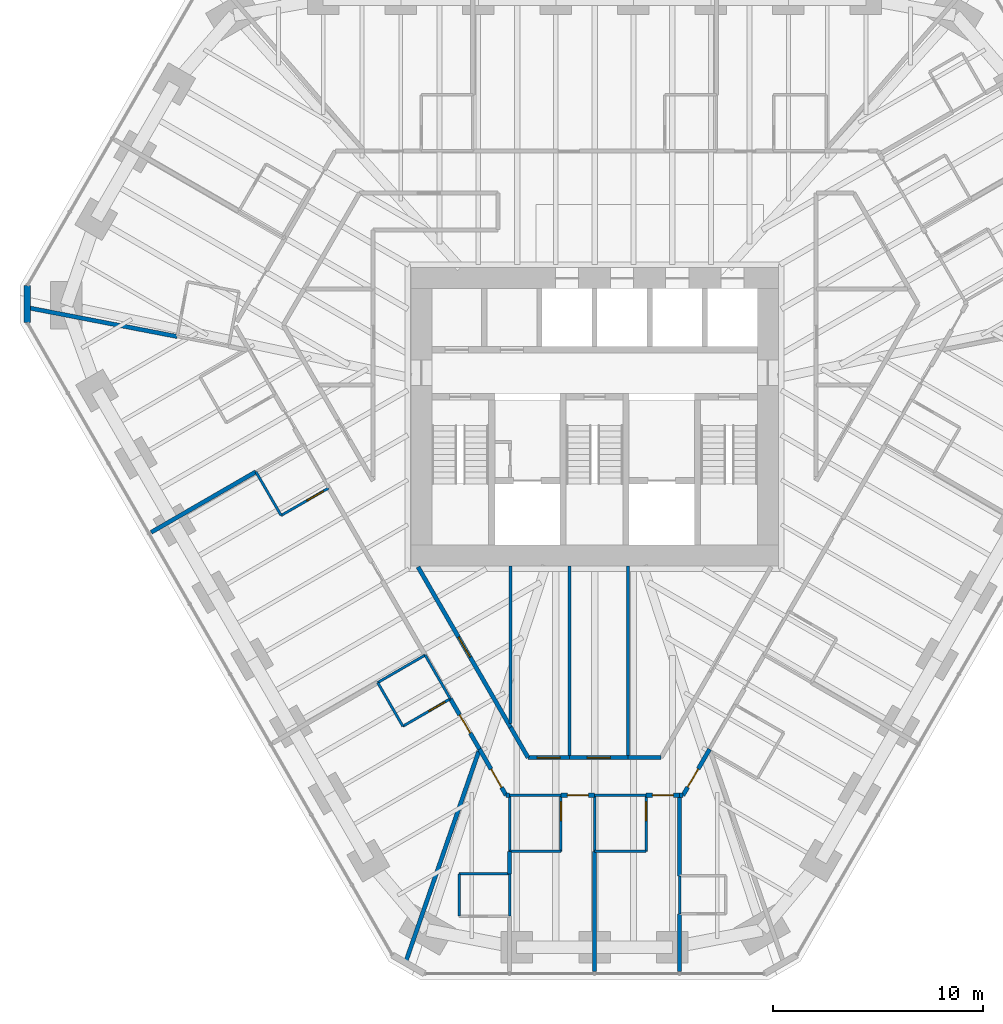
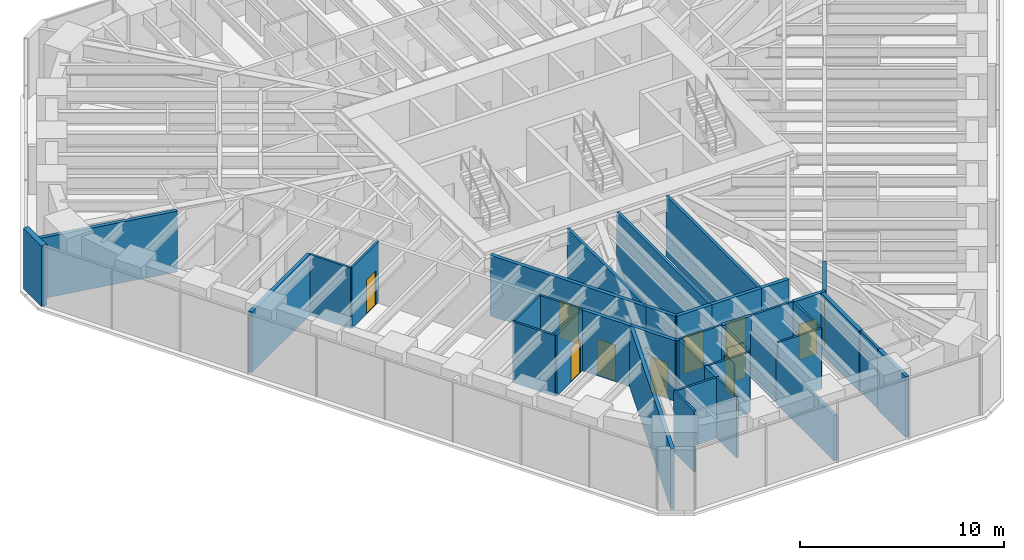
# One storey, part 11 of 17: 41 walls, 12 doors, 12 openings.
"""IFC4 building model written with IfcOpenShell, lengths in metres."""

from ifc_helpers import new_model, si_unit, direction, frame, frame_2d, origin, place, context, subcontext, project, spatial, rectangle, extrude, material, layer, layer_set, type_object, element, fill, save


model = new_model("IFC4")

# Units and contexts
model_context = context("Model", 3, precision=1e-05, world=origin(), true_north=direction((0.0, 1.0)))
body_context = subcontext(model_context, "Body", "Model", "MODEL_VIEW")
ifc_project = project(units=[si_unit("LENGTHUNIT", "METRE"), si_unit("AREAUNIT", "SQUARE_METRE"), si_unit("VOLUMEUNIT", "CUBIC_METRE"), si_unit("PLANEANGLEUNIT", "RADIAN"), si_unit("MASSUNIT", "GRAM", prefix="KILO")], contexts=[model_context])

# Site, building, storey
site_placement = place(None, origin())
site = spatial("IfcSite", under=ifc_project, at=site_placement, CompositionType="ELEMENT")
building_placement = place(site_placement, origin())
building = spatial("IfcBuilding", under=site, at=building_placement, Name="Sandreach Pilgrim Tower", CompositionType="ELEMENT")
storey_placement = place(building_placement, frame((0.0, 0.0, 213.60009765625)))
storey = spatial("IfcBuildingStorey", under=building, at=storey_placement, Name="L53", CompositionType="ELEMENT", Elevation=213.60009765625)

# Walls
ifc_material_1 = material(Name="Gypsum board on steel studs", Category="steel")
ifc_layer_1 = layer(ifc_material_1, 0.14990234375)
ifc_layer_set_1 = layer_set([ifc_layer_1], Name="Back of house wall 150")
wall_type_1 = type_object("IfcWallType", Name="Back of house wall 150", PredefinedType="PARTITIONING", material=ifc_layer_set_1)
wall_1_placement = place(storey_placement, frame((-4.0, -7.10009765625, 0.0), z_axis=(0.0, 0.0, 1.0), x_axis=(0.0, -1.0, 0.0)))
element("IfcWall", 1, at=wall_1_placement, inside=storey, type_object=wall_type_1, Name="Back of house wall L53-066", PredefinedType="PARTITIONING", context=body_context, shape_type="SweptSolid", body=[
    extrude(rectangle(XDim=7.514892578125, YDim=0.14990234375, at=frame_2d((3.75732421875, 0.0))), origin(), (0.0, 0.0, 1.0), 3.639892578125),
])
for number, where, z_axis, x_axis, name in (
    (2, (-1.199951171875, -7.10009765625, 0.0), (0.0, 0.0, 1.0), (0.0, -1.0, 0.0), "Back of house wall L53-071"),
    (3, (1.60009765625, -7.10009765625, 0.0), (0.0, 0.0, 1.0), (0.0, -1.0, 0.0), "Back of house wall L53-077"),
):
    element("IfcWall", number, at=place(storey_placement, frame(where, z_axis=z_axis, x_axis=x_axis)), inside=storey, type_object=wall_type_1, Name=name, PredefinedType="PARTITIONING", context=body_context, shape_type="SweptSolid", body=[
        extrude(rectangle(XDim=9.1298828125, YDim=0.14990234375, at=frame_2d((4.56494140625, 0.0))), origin(), (0.0, 0.0, 1.0), 3.639892578125),
    ])
ifc_material_2 = material(Name="Moisture-resistant gypsum board on steel studs", Category="steel")
ifc_layer_2 = layer(ifc_material_2, 0.1201171875)
ifc_layer_set_2 = layer_set([ifc_layer_2], Name="Bathroom partition 120")
wall_type_2 = type_object("IfcWallType", Name="Bathroom partition 120", PredefinedType="PARTITIONING", material=ifc_layer_set_2)
wall_2_placement = place(storey_placement, frame((-16.1298828125, -2.6201171875, 0.0), z_axis=(0.0, 0.0, 1.0), x_axis=(0.499737123639, -0.866177122335, 0.0)))
element("IfcWall", 4, at=wall_2_placement, inside=storey, type_object=wall_type_2, Name="Bathroom partition L53-015", PredefinedType="PARTITIONING", context=body_context, shape_type="SweptSolid", body=[
    extrude(rectangle(XDim=2.401123046875, YDim=0.1201171875, at=frame_2d((1.20068359375, 0.0))), origin(), (0.0, 0.0, 1.0), 3.639892578125),
])

# Wall, opening, door
wall_3_placement = place(storey_placement, frame((-14.929931640625, -4.699951171875, 0.0), z_axis=(0.0, 0.0, 1.0), x_axis=(0.866114241029, 0.499846097802, 0.0)))
wall_3 = element("IfcWall", 5, at=wall_3_placement, inside=storey, type_object=wall_type_2, Name="Bathroom partition L53-020", PredefinedType="PARTITIONING", context=body_context, shape_type="SweptSolid", body=[
    extrude(rectangle(XDim=2.620849609375, YDim=0.1201171875, at=frame_2d((1.310546875, 0.0))), origin(), (0.0, 0.0, 1.0), 3.639892578125),
])
opening_1_placement = place(wall_3_placement, frame((1.4208984375, 0.0, 0.0)))
opening_1 = element("IfcOpeningElement", 6, at=opening_1_placement, cuts=wall_3, Name="Opening D09-16B", PredefinedType="OPENING", context=body_context, shape_type="SweptSolid", body=[
    extrude(rectangle(XDim=0.89990234375, YDim=2.030029296875, at=frame_2d((0.449951171875, 1.01513671875))), frame((0.0, 0.06005859375, 0.0), z_axis=(0.0, -1.0, 0.0), x_axis=(1.0, 0.0, 0.0)), (0.0, 0.0, 1.0), 0.1201171875),
])
ifc_material_3 = material(Name="Timber door, steel frame", Category="steel")
door_type_1 = type_object("IfcDoorType", Name="Bathroom door", OperationType="SINGLE_SWING_LEFT", PredefinedType="DOOR", material=ifc_material_3)
door_1_placement = place(opening_1_placement, origin())
door_1 = element("IfcDoor", 7, at=door_1_placement, inside=storey, type_object=door_type_1, Name="Door 5316B", OperationType="SINGLE_SWING_RIGHT", OverallHeight=2.030029296875, OverallWidth=0.89990234375, PredefinedType="DOOR", context=body_context, shape_type="SweptSolid", body=[
    extrude(rectangle(XDim=0.89990234375, YDim=2.030029296875, at=frame_2d((0.449951171875, 1.01513671875))), frame((0.0, 0.02490234375, 0.0), z_axis=(0.0, -1.0, 0.0), x_axis=(1.0, 0.0, 0.0)), (0.0, 0.0, 1.0), 0.050048828125),
])
fill(opening_1, door_1)

# Walls
wall_4_placement = place(storey_placement, frame((-10.330078125, -12.659912109375, 0.0), z_axis=(0.0, 0.0, 1.0), x_axis=(0.499693115345, -0.866202511239, 0.0)))
element("IfcWall", 8, at=wall_4_placement, inside=storey, type_object=wall_type_2, Name="Bathroom partition L53-040", PredefinedType="PARTITIONING", context=body_context, shape_type="SweptSolid", body=[
    extrude(rectangle(XDim=2.4013671875, YDim=0.1201171875, at=frame_2d((1.20068359375, 0.0))), origin(), (0.0, 0.0, 1.0), 3.639892578125),
])
wall_5_placement = place(storey_placement, frame((-10.330078125, -12.659912109375, 0.0), z_axis=(0.0, 0.0, 1.0), x_axis=(0.865195830568, 0.501434118073, 0.0)))
element("IfcWall", 9, at=wall_5_placement, inside=storey, type_object=wall_type_2, Name="Bathroom partition L53-041", PredefinedType="PARTITIONING", context=body_context, shape_type="SweptSolid", body=[
    extrude(rectangle(XDim=2.612060546875, YDim=0.1201171875, at=frame_2d((1.30615234375, 0.0))), origin(), (0.0, 0.0, 1.0), 3.639892578125),
])

# Wall, opening, door
wall_6_placement = place(storey_placement, frame((-9.1298828125, -14.739990234375, 0.0), z_axis=(0.0, 0.0, 1.0), x_axis=(0.865131772832, 0.501544629755, 0.0)))
wall_6 = element("IfcWall", 10, at=wall_6_placement, inside=storey, type_object=wall_type_2, Name="Bathroom partition L53-042", PredefinedType="PARTITIONING", context=body_context, shape_type="SweptSolid", body=[
    extrude(rectangle(XDim=2.612060546875, YDim=0.1201171875, at=frame_2d((1.30615234375, 0.0))), origin(), (0.0, 0.0, 1.0), 3.639892578125),
])
opening_2_placement = place(wall_6_placement, frame((1.412109375, 0.0, 0.0)))
opening_2 = element("IfcOpeningElement", 11, at=opening_2_placement, cuts=wall_6, Name="Opening D09-15B", PredefinedType="OPENING", context=body_context, shape_type="SweptSolid", body=[
    extrude(rectangle(XDim=0.89990234375, YDim=2.030029296875, at=frame_2d((0.449951171875, 1.01513671875))), frame((0.0, 0.06005859375, 0.0), z_axis=(0.0, -1.0, 0.0), x_axis=(1.0, 0.0, 0.0)), (0.0, 0.0, 1.0), 0.1201171875),
])
door_2_placement = place(opening_2_placement, origin())
door_2 = element("IfcDoor", 12, at=door_2_placement, inside=storey, type_object=door_type_1, Name="Door 5315B", OperationType="SINGLE_SWING_RIGHT", OverallHeight=2.030029296875, OverallWidth=0.89990234375, PredefinedType="DOOR", context=body_context, shape_type="SweptSolid", body=[
    extrude(rectangle(XDim=0.89990234375, YDim=2.030029296875, at=frame_2d((0.449951171875, 1.01513671875))), frame((0.0, 0.02490234375, 0.0), z_axis=(0.0, -1.0, 0.0), x_axis=(1.0, 0.0, 0.0)), (0.0, 0.0, 1.0), 0.050048828125),
])
fill(opening_2, door_2)

# Walls
wall_7_placement = place(storey_placement, frame((-8.070068359375, -11.35009765625, 0.0), z_axis=(0.0, 0.0, 1.0), x_axis=(0.499737123639, -0.866177122335, 0.0)))
element("IfcWall", 13, at=wall_7_placement, inside=storey, type_object=wall_type_2, Name="Bathroom partition L53-046", PredefinedType="PARTITIONING", context=body_context, shape_type="SweptSolid", body=[
    extrude(rectangle(XDim=2.401123046875, YDim=0.1201171875, at=frame_2d((1.20068359375, 0.0))), origin(), (0.0, 0.0, 1.0), 3.639892578125),
])
for number, where, z_axis, x_axis, name in (
    (14, (-6.449951171875, -21.77001953125, 0.0), (0.0, 0.0, 1.0), (0.0, -1.0, 0.0), "Bathroom partition L53-049"),
    (15, (-4.050048828125, -23.780029296875, 0.0), (0.0, 0.0, 1.0), (0.0, 1.0, 0.0), "Bathroom partition L53-059"),
):
    element("IfcWall", number, at=place(storey_placement, frame(where, z_axis=z_axis, x_axis=x_axis)), inside=storey, type_object=wall_type_2, Name=name, PredefinedType="PARTITIONING", context=body_context, shape_type="SweptSolid", body=[
        extrude(rectangle(XDim=2.010009765625, YDim=0.1201171875, at=frame_2d((1.0048828125, 0.0))), origin(), (0.0, 0.0, 1.0), 3.639892578125),
    ])
wall_8_placement = place(storey_placement, frame((-4.050048828125, -21.77001953125, 0.0), z_axis=(0.0, 0.0, 1.0), x_axis=(-1.0, 0.0, 0.0)))
element("IfcWall", 16, at=wall_8_placement, inside=storey, type_object=wall_type_2, Name="Bathroom partition L53-060", PredefinedType="PARTITIONING", context=body_context, shape_type="SweptSolid", body=[
    extrude(rectangle(XDim=2.39990234375, YDim=0.1201171875, at=frame_2d((1.199951171875, 0.0))), origin(), (0.0, 0.0, 1.0), 3.639892578125),
])
wall_9_placement = place(storey_placement, frame((-4.050048828125, -20.699951171875, 0.0), z_axis=(0.0, 0.0, 1.0), x_axis=(0.0, 1.0, 0.0)))
element("IfcWall", 17, at=wall_9_placement, inside=storey, type_object=wall_type_2, Name="Bathroom partition L53-062", PredefinedType="PARTITIONING", context=body_context, shape_type="SweptSolid", body=[
    extrude(rectangle(XDim=2.669921875, YDim=0.1201171875, at=frame_2d((1.3349609375, 0.0))), origin(), (0.0, 0.0, 1.0), 3.639892578125),
])
for number, where, z_axis, x_axis, name in (
    (18, (-4.050048828125, -20.699951171875, 0.0), (0.0, 0.0, 1.0), (1.0, 0.0, 0.0), "Bathroom partition L53-063"),
    (19, (-4.050048828125, -18.030029296875, 0.0), (0.0, 0.0, 1.0), (1.0, 0.0, 0.0), "Bathroom partition L53-064"),
):
    element("IfcWall", number, at=place(storey_placement, frame(where, z_axis=z_axis, x_axis=x_axis)), inside=storey, type_object=wall_type_2, Name=name, PredefinedType="PARTITIONING", context=body_context, shape_type="SweptSolid", body=[
        extrude(rectangle(XDim=2.449951171875, YDim=0.1201171875, at=frame_2d((1.22509765625, 0.0))), origin(), (0.0, 0.0, 1.0), 3.639892578125),
    ])

# Wall, opening, door
wall_10_placement = place(storey_placement, frame((-1.60009765625, -20.699951171875, 0.0), z_axis=(0.0, 0.0, 1.0), x_axis=(0.0, 1.0, 0.0)))
wall_10 = element("IfcWall", 20, at=wall_10_placement, inside=storey, type_object=wall_type_2, Name="Bathroom partition L53-068", PredefinedType="PARTITIONING", context=body_context, shape_type="SweptSolid", body=[
    extrude(rectangle(XDim=2.669921875, YDim=0.1201171875, at=frame_2d((1.3349609375, 0.0))), origin(), (0.0, 0.0, 1.0), 3.639892578125),
])
opening_3_placement = place(wall_10_placement, frame((1.469970703125, 0.0, 0.0)))
opening_3 = element("IfcOpeningElement", 21, at=opening_3_placement, cuts=wall_10, Name="Opening D09-13B", PredefinedType="OPENING", context=body_context, shape_type="SweptSolid", body=[
    extrude(rectangle(XDim=0.89990234375, YDim=2.030029296875, at=frame_2d((0.449951171875, 1.01513671875))), frame((0.0, 0.06005859375, 0.0), z_axis=(0.0, -1.0, 0.0), x_axis=(1.0, 0.0, 0.0)), (0.0, 0.0, 1.0), 0.1201171875),
])
door_3_placement = place(opening_3_placement, origin())
door_3 = element("IfcDoor", 22, at=door_3_placement, inside=storey, type_object=door_type_1, Name="Door 5313B", OperationType="SINGLE_SWING_RIGHT", OverallHeight=2.030029296875, OverallWidth=0.89990234375, PredefinedType="DOOR", context=body_context, shape_type="SweptSolid", body=[
    extrude(rectangle(XDim=0.89990234375, YDim=2.030029296875, at=frame_2d((0.449951171875, 1.01513671875))), frame((0.0, 0.02490234375, 0.0), z_axis=(0.0, -1.0, 0.0), x_axis=(1.0, 0.0, 0.0)), (0.0, 0.0, 1.0), 0.050048828125),
])
fill(opening_3, door_3)

# Walls
wall_11_placement = place(storey_placement, frame((0.0, -20.699951171875, 0.0), z_axis=(0.0, 0.0, 1.0), x_axis=(0.0, 1.0, 0.0)))
element("IfcWall", 23, at=wall_11_placement, inside=storey, type_object=wall_type_2, Name="Bathroom partition L53-073", PredefinedType="PARTITIONING", context=body_context, shape_type="SweptSolid", body=[
    extrude(rectangle(XDim=2.669921875, YDim=0.1201171875, at=frame_2d((1.3349609375, 0.0))), origin(), (0.0, 0.0, 1.0), 2.7255859375),
])
for number, where, z_axis, x_axis, name in (
    (24, (0.0, -20.699951171875, 0.0), (0.0, 0.0, 1.0), (1.0, 0.0, 0.0), "Bathroom partition L53-074"),
    (25, (0.0, -18.030029296875, 0.0), (0.0, 0.0, 1.0), (1.0, 0.0, 0.0), "Bathroom partition L53-075"),
):
    element("IfcWall", number, at=place(storey_placement, frame(where, z_axis=z_axis, x_axis=x_axis)), inside=storey, type_object=wall_type_2, Name=name, PredefinedType="PARTITIONING", context=body_context, shape_type="SweptSolid", body=[
        extrude(rectangle(XDim=2.449951171875, YDim=0.1201171875, at=frame_2d((1.22509765625, 0.0))), origin(), (0.0, 0.0, 1.0), 3.639892578125),
    ])

# Wall, opening, door
wall_12_placement = place(storey_placement, frame((2.449951171875, -20.699951171875, 0.0), z_axis=(0.0, 0.0, 1.0), x_axis=(0.0, 1.0, 0.0)))
wall_12 = element("IfcWall", 26, at=wall_12_placement, inside=storey, type_object=wall_type_2, Name="Bathroom partition L53-078", PredefinedType="PARTITIONING", context=body_context, shape_type="SweptSolid", body=[
    extrude(rectangle(XDim=2.669921875, YDim=0.1201171875, at=frame_2d((1.3349609375, 0.0))), origin(), (0.0, 0.0, 1.0), 3.639892578125),
])
opening_4_placement = place(wall_12_placement, frame((1.469970703125, 0.0, 0.0)))
opening_4 = element("IfcOpeningElement", 27, at=opening_4_placement, cuts=wall_12, Name="Opening D09-12B", PredefinedType="OPENING", context=body_context, shape_type="SweptSolid", body=[
    extrude(rectangle(XDim=0.89990234375, YDim=2.030029296875, at=frame_2d((0.449951171875, 1.01513671875))), frame((0.0, 0.06005859375, 0.0), z_axis=(0.0, -1.0, 0.0), x_axis=(1.0, 0.0, 0.0)), (0.0, 0.0, 1.0), 0.1201171875),
])
door_4_placement = place(opening_4_placement, origin())
door_4 = element("IfcDoor", 28, at=door_4_placement, inside=storey, type_object=door_type_1, Name="Door 5312B", OperationType="SINGLE_SWING_RIGHT", OverallHeight=2.030029296875, OverallWidth=0.89990234375, PredefinedType="DOOR", context=body_context, shape_type="SweptSolid", body=[
    extrude(rectangle(XDim=0.89990234375, YDim=2.030029296875, at=frame_2d((0.449951171875, 1.01513671875))), frame((0.0, 0.02490234375, 0.0), z_axis=(0.0, -1.0, 0.0), x_axis=(1.0, 0.0, 0.0)), (0.0, 0.0, 1.0), 0.050048828125),
])
fill(opening_4, door_4)

# Wall
wall_13_placement = place(storey_placement, frame((4.050048828125, -23.679931640625, 0.0), z_axis=(0.0, 0.0, 1.0), x_axis=(0.0, 1.0, 0.0)))
element("IfcWall", 29, at=wall_13_placement, inside=storey, type_object=wall_type_2, Name="Bathroom partition L53-084", PredefinedType="PARTITIONING", context=body_context, shape_type="SweptSolid", body=[
    extrude(rectangle(XDim=1.809814453125, YDim=0.1201171875, at=frame_2d((0.90478515625, 0.0))), origin(), (0.0, 0.0, 1.0), 3.639892578125),
])

# Wall, opening, door
ifc_material_4 = material(Name="Gypsum board on steel studs, two layers each side", Category="steel")
ifc_layer_3 = layer(ifc_material_4, 0.199951171875)
ifc_layer_set_3 = layer_set([ifc_layer_3], Name="Corridor wall 200")
wall_type_3 = type_object("IfcWallType", Name="Corridor wall 200", PredefinedType="PARTITIONING", material=ifc_layer_set_3)
wall_14_placement = place(storey_placement, frame((-6.8701171875, -13.429931640625, 0.0), z_axis=(0.0, 0.0, 1.0), x_axis=(0.501192399481, -0.865335876237, 0.0)))
wall_14 = element("IfcWall", 30, at=wall_14_placement, inside=storey, type_object=wall_type_3, Name="Corridor wall L53-047", PredefinedType="PARTITIONING", context=body_context, shape_type="SweptSolid", body=[
    extrude(rectangle(XDim=2.773681640625, YDim=0.199951171875, at=frame_2d((1.38671875, 0.0))), origin(), (0.0, 0.0, 1.0), 3.639892578125),
])
opening_5_placement = place(wall_14_placement, frame((0.88671875, 0.0, 0.0)))
opening_5 = element("IfcOpeningElement", 31, at=opening_5_placement, cuts=wall_14, Name="Opening D10-15", PredefinedType="OPENING", context=body_context, shape_type="SweptSolid", body=[
    extrude(rectangle(XDim=1.0, YDim=2.1298828125, at=frame_2d((0.5, 1.06494140625))), frame((0.0, 0.10009765625, 0.0), z_axis=(0.0, -1.0, 0.0), x_axis=(1.0, 0.0, 0.0)), (0.0, 0.0, 1.0), 0.199951171875),
])
ifc_material_5 = material(Name="Steel door and frame", Category="steel")
door_type_2 = type_object("IfcDoorType", Name="Guest room entry door", OperationType="SINGLE_SWING_LEFT", PredefinedType="DOOR", material=ifc_material_5)
door_5_placement = place(opening_5_placement, origin())
door_5 = element("IfcDoor", 32, at=door_5_placement, inside=storey, type_object=door_type_2, Name="Door 5315", OperationType="SINGLE_SWING_LEFT", OverallHeight=2.1298828125, OverallWidth=1.0, PredefinedType="DOOR", context=body_context, shape_type="SweptSolid", body=[
    extrude(rectangle(XDim=1.0, YDim=2.1298828125, at=frame_2d((0.5, 1.06494140625))), frame((0.0, 0.02490234375, 0.0), z_axis=(0.0, -1.0, 0.0), x_axis=(1.0, 0.0, 0.0)), (0.0, 0.0, 1.0), 0.050048828125),
])
fill(opening_5, door_5)

wall_15_placement = place(storey_placement, frame((-5.47998046875, -15.830078125, 0.0), z_axis=(0.0, 0.0, 1.0), x_axis=(0.499963722229, -0.866046347752, 0.0)))
wall_15 = element("IfcWall", 33, at=wall_15_placement, inside=storey, type_object=wall_type_3, Name="Corridor wall L53-054", PredefinedType="PARTITIONING", context=body_context, shape_type="SweptSolid", body=[
    extrude(rectangle(XDim=2.540283203125, YDim=0.199951171875, at=frame_2d((1.27001953125, 0.0))), origin(), (0.0, 0.0, 1.0), 3.639892578125),
])
opening_6_placement = place(wall_15_placement, frame((1.10009765625, 0.0, 0.0)))
opening_6 = element("IfcOpeningElement", 34, at=opening_6_placement, cuts=wall_15, Name="Opening D10-14", PredefinedType="OPENING", context=body_context, shape_type="SweptSolid", body=[
    extrude(rectangle(XDim=1.0, YDim=2.1298828125, at=frame_2d((0.5, 1.06494140625))), frame((0.0, 0.10009765625, 0.0), z_axis=(0.0, -1.0, 0.0), x_axis=(1.0, 0.0, 0.0)), (0.0, 0.0, 1.0), 0.199951171875),
])
door_6_placement = place(opening_6_placement, origin())
door_6 = element("IfcDoor", 35, at=door_6_placement, inside=storey, type_object=door_type_2, Name="Door 5314", OperationType="SINGLE_SWING_RIGHT", OverallHeight=2.1298828125, OverallWidth=1.0, PredefinedType="DOOR", context=body_context, shape_type="SweptSolid", body=[
    extrude(rectangle(XDim=1.0, YDim=2.1298828125, at=frame_2d((0.5, 1.06494140625))), frame((0.0, 0.02490234375, 0.0), z_axis=(0.0, -1.0, 0.0), x_axis=(1.0, 0.0, 0.0)), (0.0, 0.0, 1.0), 0.050048828125),
])
fill(opening_6, door_6)

# Wall
wall_16_placement = place(storey_placement, frame((-4.2099609375, -18.030029296875, 0.0), z_axis=(0.0, 0.0, 1.0), x_axis=(1.0, 0.0, 0.0)))
element("IfcWall", 36, at=wall_16_placement, inside=storey, type_object=wall_type_3, Name="Corridor wall L53-057", PredefinedType="PARTITIONING", context=body_context, shape_type="SweptSolid", body=[
    extrude(rectangle(XDim=0.159912109375, YDim=0.199951171875, at=frame_2d((0.080078125, 0.0))), origin(), (0.0, 0.0, 1.0), 3.639892578125),
])

# Wall, opening, door
wall_17_placement = place(storey_placement, frame((-4.0, -14.7900390625, 0.0), z_axis=(0.0, 0.0, 1.0), x_axis=(-0.499916512745, 0.866073599808, 0.0)))
wall_17 = element("IfcWall", 37, at=wall_17_placement, inside=storey, type_object=wall_type_3, Name="Corridor wall L53-065", PredefinedType="PARTITIONING", context=body_context, shape_type="SweptSolid", body=[
    extrude(rectangle(XDim=8.8212890625, YDim=0.199951171875, at=frame_2d((4.41064453125, 0.0))), origin(), (0.0, 0.0, 1.0), 3.639892578125),
])
opening_7_placement = place(wall_17_placement, frame((3.860595703125, 0.0, 0.0)))
opening_7 = element("IfcOpeningElement", 38, at=opening_7_placement, cuts=wall_17, Name="Opening D11H-S1", PredefinedType="OPENING", context=body_context, shape_type="SweptSolid", body=[
    extrude(rectangle(XDim=1.10009765625, YDim=2.199951171875, at=frame_2d((0.550048828125, 1.10009765625))), frame((0.0, 0.10009765625, 0.0), z_axis=(0.0, -1.0, 0.0), x_axis=(1.0, 0.0, 0.0)), (0.0, 0.0, 1.0), 0.199951171875),
])
ifc_material_6 = material(Name="Steel door and frame", Category="steel")
door_type_3 = type_object("IfcDoorType", Name="Back of house door", OperationType="SINGLE_SWING_LEFT", PredefinedType="DOOR", material=ifc_material_6)
door_7_placement = place(opening_7_placement, origin())
door_7 = element("IfcDoor", 39, at=door_7_placement, inside=storey, type_object=door_type_3, Name="Door 53S1", OperationType="SINGLE_SWING_LEFT", OverallHeight=2.199951171875, OverallWidth=1.10009765625, PredefinedType="DOOR", context=body_context, shape_type="SweptSolid", body=[
    extrude(rectangle(XDim=1.10009765625, YDim=2.199951171875, at=frame_2d((0.550048828125, 1.10009765625))), frame((0.0, 0.02490234375, 0.0), z_axis=(0.0, -1.0, 0.0), x_axis=(1.0, 0.0, 0.0)), (0.0, 0.0, 1.0), 0.050048828125),
])
fill(opening_7, door_7)

# Wall
wall_18_placement = place(storey_placement, frame((-3.169921875, -16.22998046875, 0.0), z_axis=(0.0, 0.0, 1.0), x_axis=(-0.499425709803, 0.866356716594, 0.0)))
element("IfcWall", 40, at=wall_18_placement, inside=storey, type_object=wall_type_3, Name="Corridor wall L53-067", PredefinedType="PARTITIONING", context=body_context, shape_type="SweptSolid", body=[
    extrude(rectangle(XDim=1.662109375, YDim=0.199951171875, at=frame_2d((0.8310546875, 0.0))), origin(), (0.0, 0.0, 1.0), 3.639892578125),
])

# Wall, opening, door
wall_19_placement = place(storey_placement, frame((-1.60009765625, -18.030029296875, 0.0), z_axis=(0.0, 0.0, 1.0), x_axis=(1.0, 0.0, 0.0)))
wall_19 = element("IfcWall", 41, at=wall_19_placement, inside=storey, type_object=wall_type_3, Name="Corridor wall L53-069", PredefinedType="PARTITIONING", context=body_context, shape_type="SweptSolid", body=[
    extrude(rectangle(XDim=1.60009765625, YDim=0.199951171875, at=frame_2d((0.800048828125, 0.0))), origin(), (0.0, 0.0, 1.0), 3.639892578125),
])
opening_8_placement = place(wall_19_placement, frame((0.300048828125, 0.0, 0.0)))
opening_8 = element("IfcOpeningElement", 42, at=opening_8_placement, cuts=wall_19, Name="Opening D10-13", PredefinedType="OPENING", context=body_context, shape_type="SweptSolid", body=[
    extrude(rectangle(XDim=1.0, YDim=2.1298828125, at=frame_2d((0.5, 1.06494140625))), frame((0.0, 0.10009765625, 0.0), z_axis=(0.0, -1.0, 0.0), x_axis=(1.0, 0.0, 0.0)), (0.0, 0.0, 1.0), 0.199951171875),
])
door_8_placement = place(opening_8_placement, origin())
door_8 = element("IfcDoor", 43, at=door_8_placement, inside=storey, type_object=door_type_2, Name="Door 5313", OperationType="SINGLE_SWING_LEFT", OverallHeight=2.1298828125, OverallWidth=1.0, PredefinedType="DOOR", context=body_context, shape_type="SweptSolid", body=[
    extrude(rectangle(XDim=1.0, YDim=2.1298828125, at=frame_2d((0.5, 1.06494140625))), frame((0.0, 0.02490234375, 0.0), z_axis=(0.0, -1.0, 0.0), x_axis=(1.0, 0.0, 0.0)), (0.0, 0.0, 1.0), 0.050048828125),
])
fill(opening_8, door_8)

wall_20_placement = place(storey_placement, frame((-1.199951171875, -16.22998046875, 0.0), z_axis=(0.0, 0.0, 1.0), x_axis=(-1.0, 0.0, 0.0)))
wall_20 = element("IfcWall", 44, at=wall_20_placement, inside=storey, type_object=wall_type_3, Name="Corridor wall L53-070", PredefinedType="PARTITIONING", context=body_context, shape_type="SweptSolid", body=[
    extrude(rectangle(XDim=1.969970703125, YDim=0.199951171875, at=frame_2d((0.98486328125, 0.0))), origin(), (0.0, 0.0, 1.0), 3.639892578125),
])
opening_9_placement = place(wall_20_placement, frame((0.43505859375, 0.0, 0.0)))
opening_9 = element("IfcOpeningElement", 45, at=opening_9_placement, cuts=wall_20, Name="Opening D11H-S2", PredefinedType="OPENING", context=body_context, shape_type="SweptSolid", body=[
    extrude(rectangle(XDim=1.10009765625, YDim=2.199951171875, at=frame_2d((0.550048828125, 1.10009765625))), frame((0.0, 0.10009765625, 0.0), z_axis=(0.0, -1.0, 0.0), x_axis=(1.0, 0.0, 0.0)), (0.0, 0.0, 1.0), 0.199951171875),
])
door_9_placement = place(opening_9_placement, origin())
door_9 = element("IfcDoor", 46, at=door_9_placement, inside=storey, type_object=door_type_3, Name="Door 53S2", OperationType="SINGLE_SWING_LEFT", OverallHeight=2.199951171875, OverallWidth=1.10009765625, PredefinedType="DOOR", context=body_context, shape_type="SweptSolid", body=[
    extrude(rectangle(XDim=1.10009765625, YDim=2.199951171875, at=frame_2d((0.550048828125, 1.10009765625))), frame((0.0, 0.02490234375, 0.0), z_axis=(0.0, -1.0, 0.0), x_axis=(1.0, 0.0, 0.0)), (0.0, 0.0, 1.0), 0.050048828125),
])
fill(opening_9, door_9)

wall_21_placement = place(storey_placement, frame((1.60009765625, -16.22998046875, 0.0), z_axis=(0.0, 0.0, 1.0), x_axis=(-1.0, 0.0, 0.0)))
wall_21 = element("IfcWall", 47, at=wall_21_placement, inside=storey, type_object=wall_type_3, Name="Corridor wall L53-076", PredefinedType="PARTITIONING", context=body_context, shape_type="SweptSolid", body=[
    extrude(rectangle(XDim=2.800048828125, YDim=0.199951171875, at=frame_2d((1.39990234375, 0.0))), origin(), (0.0, 0.0, 1.0), 3.639892578125),
])
opening_10_placement = place(wall_21_placement, frame((0.85009765625, 0.0, 0.0)))
opening_10 = element("IfcOpeningElement", 48, at=opening_10_placement, cuts=wall_21, Name="Opening D11H-S3", PredefinedType="OPENING", context=body_context, shape_type="SweptSolid", body=[
    extrude(rectangle(XDim=1.10009765625, YDim=2.199951171875, at=frame_2d((0.550048828125, 1.10009765625))), frame((0.0, 0.10009765625, 0.0), z_axis=(0.0, -1.0, 0.0), x_axis=(1.0, 0.0, 0.0)), (0.0, 0.0, 1.0), 0.199951171875),
])
door_10_placement = place(opening_10_placement, origin())
door_10 = element("IfcDoor", 49, at=door_10_placement, inside=storey, type_object=door_type_3, Name="Door 53S3", OperationType="SINGLE_SWING_LEFT", OverallHeight=2.199951171875, OverallWidth=1.10009765625, PredefinedType="DOOR", context=body_context, shape_type="SweptSolid", body=[
    extrude(rectangle(XDim=1.10009765625, YDim=2.199951171875, at=frame_2d((0.550048828125, 1.10009765625))), frame((0.0, 0.02490234375, 0.0), z_axis=(0.0, -1.0, 0.0), x_axis=(1.0, 0.0, 0.0)), (0.0, 0.0, 1.0), 0.050048828125),
])
fill(opening_10, door_10)

wall_22_placement = place(storey_placement, frame((2.449951171875, -18.030029296875, 0.0), z_axis=(0.0, 0.0, 1.0), x_axis=(1.0, 0.0, 0.0)))
wall_22 = element("IfcWall", 50, at=wall_22_placement, inside=storey, type_object=wall_type_3, Name="Corridor wall L53-079", PredefinedType="PARTITIONING", context=body_context, shape_type="SweptSolid", body=[
    extrude(rectangle(XDim=1.60009765625, YDim=0.199951171875, at=frame_2d((0.800048828125, 0.0))), origin(), (0.0, 0.0, 1.0), 3.639892578125),
])
opening_11_placement = place(wall_22_placement, frame((0.300048828125, 0.0, 0.0)))
opening_11 = element("IfcOpeningElement", 51, at=opening_11_placement, cuts=wall_22, Name="Opening D10-12", PredefinedType="OPENING", context=body_context, shape_type="SweptSolid", body=[
    extrude(rectangle(XDim=1.0, YDim=2.1298828125, at=frame_2d((0.5, 1.06494140625))), frame((0.0, 0.10009765625, 0.0), z_axis=(0.0, -1.0, 0.0), x_axis=(1.0, 0.0, 0.0)), (0.0, 0.0, 1.0), 0.199951171875),
])
door_11_placement = place(opening_11_placement, origin())
door_11 = element("IfcDoor", 52, at=door_11_placement, inside=storey, type_object=door_type_2, Name="Door 5312", OperationType="SINGLE_SWING_LEFT", OverallHeight=2.1298828125, OverallWidth=1.0, PredefinedType="DOOR", context=body_context, shape_type="SweptSolid", body=[
    extrude(rectangle(XDim=1.0, YDim=2.1298828125, at=frame_2d((0.5, 1.06494140625))), frame((0.0, 0.02490234375, 0.0), z_axis=(0.0, -1.0, 0.0), x_axis=(1.0, 0.0, 0.0)), (0.0, 0.0, 1.0), 0.050048828125),
])
fill(opening_11, door_11)

# Walls
wall_23_placement = place(storey_placement, frame((3.169921875, -16.22998046875, 0.0), z_axis=(0.0, 0.0, 1.0), x_axis=(-1.0, 0.0, 0.0)))
element("IfcWall", 53, at=wall_23_placement, inside=storey, type_object=wall_type_3, Name="Corridor wall L53-080", PredefinedType="PARTITIONING", context=body_context, shape_type="SweptSolid", body=[
    extrude(rectangle(XDim=1.56982421875, YDim=0.199951171875, at=frame_2d((0.784912109375, 0.0))), origin(), (0.0, 0.0, 1.0), 3.639892578125),
])
wall_24_placement = place(storey_placement, frame((4.050048828125, -18.030029296875, 0.0), z_axis=(0.0, 0.0, 1.0), x_axis=(1.0, 0.0, 0.0)))
element("IfcWall", 54, at=wall_24_placement, inside=storey, type_object=wall_type_3, Name="Corridor wall L53-087", PredefinedType="PARTITIONING", context=body_context, shape_type="SweptSolid", body=[
    extrude(rectangle(XDim=0.159912109375, YDim=0.199951171875, at=frame_2d((0.080078125, 0.0))), origin(), (0.0, 0.0, 1.0), 3.639892578125),
])

# Wall, opening, door
wall_25_placement = place(storey_placement, frame((4.2099609375, -18.030029296875, 0.0), z_axis=(0.0, 0.0, 1.0), x_axis=(0.499963722229, 0.866046347752, 0.0)))
wall_25 = element("IfcWall", 55, at=wall_25_placement, inside=storey, type_object=wall_type_3, Name="Corridor wall L53-088", PredefinedType="PARTITIONING", context=body_context, shape_type="SweptSolid", body=[
    extrude(rectangle(XDim=2.540283203125, YDim=0.199951171875, at=frame_2d((1.27001953125, 0.0))), origin(), (0.0, 0.0, 1.0), 3.639892578125),
])
opening_12_placement = place(wall_25_placement, frame((0.449951171875, 0.0, 0.0)))
opening_12 = element("IfcOpeningElement", 56, at=opening_12_placement, cuts=wall_25, Name="Opening D10-11", PredefinedType="OPENING", context=body_context, shape_type="SweptSolid", body=[
    extrude(rectangle(XDim=1.0, YDim=2.1298828125, at=frame_2d((0.5, 1.06494140625))), frame((0.0, 0.10009765625, 0.0), z_axis=(0.0, -1.0, 0.0), x_axis=(1.0, 0.0, 0.0)), (0.0, 0.0, 1.0), 0.199951171875),
])
door_12_placement = place(opening_12_placement, origin())
door_12 = element("IfcDoor", 57, at=door_12_placement, inside=storey, type_object=door_type_2, Name="Door 5311", OperationType="SINGLE_SWING_LEFT", OverallHeight=2.1298828125, OverallWidth=1.0, PredefinedType="DOOR", context=body_context, shape_type="SweptSolid", body=[
    extrude(rectangle(XDim=1.0, YDim=2.1298828125, at=frame_2d((0.5, 1.06494140625))), frame((0.0, 0.02490234375, 0.0), z_axis=(0.0, -1.0, 0.0), x_axis=(1.0, 0.0, 0.0)), (0.0, 0.0, 1.0), 0.050048828125),
])
fill(opening_12, door_12)

# Walls
ifc_material_7 = material(Name="Double steel stud acoustic wall, gypsum board", Category="steel")
ifc_layer_4 = layer(ifc_material_7, 0.199951171875)
ifc_layer_set_4 = layer_set([ifc_layer_4], Name="Party wall 200")
wall_type_4 = type_object("IfcWallType", Name="Party wall 200", PredefinedType="PARTITIONING", material=ifc_layer_set_4)
wall_26_placement = place(storey_placement, frame((-27.04052734375, 5.204345703125, 0.0), z_axis=(0.0, 0.0, 1.0), x_axis=(0.981883480928, -0.189485698355, 0.0)))
element("IfcWall", 58, at=wall_26_placement, inside=storey, type_object=wall_type_4, Name="Party wall L53-001", PredefinedType="PARTITIONING", context=body_context, shape_type="SweptSolid", body=[
    extrude(rectangle(XDim=7.291259765625, YDim=0.199951171875, at=frame_2d((3.6455078125, 0.0))), origin(), (0.0, 0.0, 1.0), 3.639892578125),
])
wall_27_placement = place(storey_placement, frame((-21.115966796875, -5.5, 0.0), z_axis=(0.0, 0.0, 1.0), x_axis=(0.865919350456, 0.50018364478, 0.0)))
element("IfcWall", 59, at=wall_27_placement, inside=storey, type_object=wall_type_4, Name="Party wall L53-002", PredefinedType="PARTITIONING", context=body_context, shape_type="SweptSolid", body=[
    extrude(rectangle(XDim=5.758056640625, YDim=0.199951171875, at=frame_2d((2.87890625, 0.0))), origin(), (0.0, 0.0, 1.0), 3.639892578125),
])
wall_28_placement = place(storey_placement, frame((-9.01025390625, -26.01171875, 0.0), z_axis=(0.0, 0.0, 1.0), x_axis=(0.327582991606, 0.944822408504, 0.0)))
element("IfcWall", 60, at=wall_28_placement, inside=storey, type_object=wall_type_4, Name="Party wall L53-043", PredefinedType="PARTITIONING", context=body_context, shape_type="SweptSolid", body=[
    extrude(rectangle(XDim=10.66650390625, YDim=0.199951171875, at=frame_2d((5.333251953125, 0.0))), origin(), (0.0, 0.0, 1.0), 3.639892578125),
])
wall_29_placement = place(storey_placement, frame((-4.050048828125, -21.77001953125, 0.0), z_axis=(0.0, 0.0, 1.0), x_axis=(0.0, 1.0, 0.0)))
element("IfcWall", 61, at=wall_29_placement, inside=storey, type_object=wall_type_4, Name="Party wall L53-061", PredefinedType="PARTITIONING", context=body_context, shape_type="SweptSolid", body=[
    extrude(rectangle(XDim=1.070068359375, YDim=0.199951171875, at=frame_2d((0.53515625, 0.0))), origin(), (0.0, 0.0, 1.0), 3.639892578125),
])
wall_30_placement = place(storey_placement, frame((0.0, -26.409912109375, 0.0), z_axis=(0.0, 0.0, 1.0), x_axis=(0.0, 1.0, 0.0)))
element("IfcWall", 62, at=wall_30_placement, inside=storey, type_object=wall_type_4, Name="Party wall L53-072", PredefinedType="PARTITIONING", context=body_context, shape_type="SweptSolid", body=[
    extrude(rectangle(XDim=5.7099609375, YDim=0.199951171875, at=frame_2d((2.85498046875, 0.0))), origin(), (0.0, 0.0, 1.0), 2.7255859375),
])
wall_31_placement = place(storey_placement, frame((4.050048828125, -26.409912109375, 0.0), z_axis=(0.0, 0.0, 1.0), x_axis=(0.0, 1.0, 0.0)))
element("IfcWall", 63, at=wall_31_placement, inside=storey, type_object=wall_type_4, Name="Party wall L53-083", PredefinedType="PARTITIONING", context=body_context, shape_type="SweptSolid", body=[
    extrude(rectangle(XDim=2.72998046875, YDim=0.199951171875, at=frame_2d((1.364990234375, 0.0))), origin(), (0.0, 0.0, 1.0), 3.639892578125),
])
wall_32_placement = place(storey_placement, frame((4.050048828125, -21.8701171875, 0.0), z_axis=(0.0, 0.0, 1.0), x_axis=(0.0, 1.0, 0.0)))
element("IfcWall", 64, at=wall_32_placement, inside=storey, type_object=wall_type_4, Name="Party wall L53-086", PredefinedType="PARTITIONING", context=body_context, shape_type="SweptSolid", body=[
    extrude(rectangle(XDim=3.830078125, YDim=0.199951171875, at=frame_2d((1.9150390625, 0.0))), origin(), (0.0, 0.0, 1.0), 3.639892578125),
])
ifc_material_8 = material(Name="Terracotta rainscreen on concrete", Category="masonry")
ifc_layer_5 = layer(ifc_material_8, 0.300048828125)
ifc_layer_set_5 = layer_set([ifc_layer_5], Name="Terracotta chamfer pier")
wall_type_5 = type_object("IfcWallType", Name="Terracotta chamfer pier", PredefinedType="SOLIDWALL", material=ifc_layer_set_5)
wall_33_placement = place(storey_placement, frame((-27.02001953125, 4.47998046875, 0.0), z_axis=(0.0, 0.0, 1.0), x_axis=(0.0, 1.0, 0.0)))
element("IfcWall", 65, at=wall_33_placement, inside=storey, type_object=wall_type_5, Name="Chamfer pier L53 SW", PredefinedType="SOLIDWALL", context=body_context, shape_type="SweptSolid", body=[
    extrude(rectangle(XDim=1.77001953125, YDim=0.300048828125, at=frame_2d((0.885009765625, 0.0))), origin(), (0.0, 0.0, 1.0), 3.639892578125),
])

save(model, "model.ifc")
